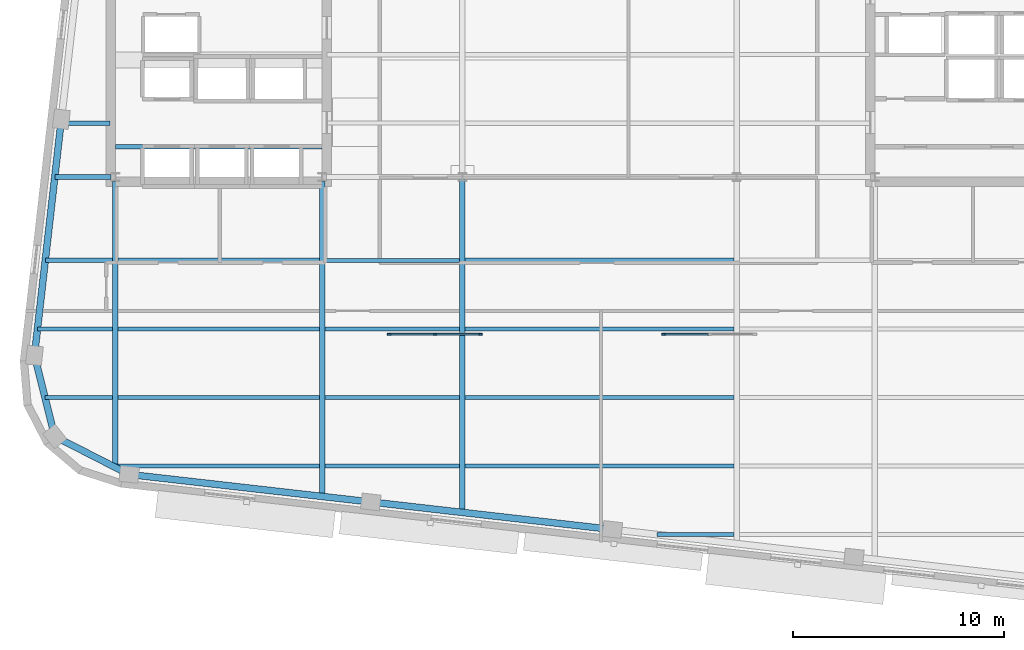
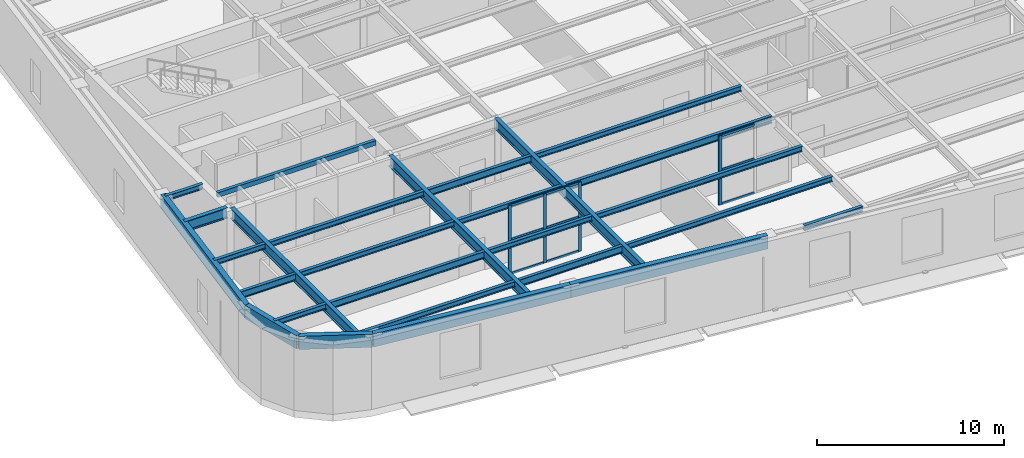
# One storey, part 3 of 15: 27 beams, 13 members, 2 elements without a shape of their own.
"""IFC4 building model written with IfcOpenShell, lengths in metres."""

from ifc_helpers import new_model, si_unit, direction, frame, origin, origin_2d, place, context, subcontext, project, spatial, rectangle, hollow_rectangle, i_section, extrude, material, material_profile, profile_set, type_object, element, aggregate, save


model = new_model("IFC4")

# Units and contexts
model_context = context("Model", 3, precision=1e-05, world=origin(), true_north=direction((0.0, 1.0)))
body_context = subcontext(model_context, "Body", "Model", "MODEL_VIEW")
ifc_project = project(units=[si_unit("LENGTHUNIT", "METRE"), si_unit("AREAUNIT", "SQUARE_METRE"), si_unit("VOLUMEUNIT", "CUBIC_METRE"), si_unit("PLANEANGLEUNIT", "RADIAN"), si_unit("MASSUNIT", "GRAM", prefix="KILO")], contexts=[model_context])

# Site, building, storey
site_placement = place(None, origin())
site = spatial("IfcSite", under=ifc_project, at=site_placement, CompositionType="ELEMENT")
building_placement = place(site_placement, origin())
building = spatial("IfcBuilding", under=site, at=building_placement, Name="Kolvaren Arena Tower", CompositionType="ELEMENT")
storey_placement = place(building_placement, frame((0.0, 0.0, 216.14990234375)))
storey = spatial("IfcBuildingStorey", under=building, at=storey_placement, Name="L52", CompositionType="ELEMENT", Elevation=216.14990234375)

# Beams
ifc_material_1 = material(Name="Steel CSA G40.21 350W", Category="steel")
ifc_material_profile_1 = material_profile(ifc_material_1, i_section(OverallWidth=0.193115234375, OverallDepth=0.462890625, WebThickness=0.0107421875, FlangeThickness=0.0205078125, FilletRadius=0.012939453125, at=origin_2d()), Name="W460x113")
ifc_profile_set_1 = profile_set([ifc_material_profile_1], Name="Steel CSA G40.21 350W")
beam_type_1 = type_object("IfcBeamType", Name="BEAM-F2", PredefinedType="BEAM", material=ifc_profile_set_1)
beam_1_placement = place(storey_placement, frame((24.4775390625, 5.75, 4.298583984375), z_axis=(1.0, 0.0, 0.0), x_axis=(0.0, 1.0, 0.0)))
element("IfcBeam", 1, at=beam_1_placement, inside=storey, type_object=beam_type_1, Name="Composite Floor Beam (L52)", PredefinedType="BEAM", context=body_context, shape_type="SweptSolid", body=[
    extrude(i_section(OverallWidth=0.193115234375, OverallDepth=0.462890625, WebThickness=0.0107421875, FlangeThickness=0.0205078125, FilletRadius=0.012939453125, at=origin_2d()), origin(), (0.0, 0.0, 1.0), 6.39501953125),
])
beam_2_placement = place(storey_placement, frame((14.677490234375, 9.0, 4.298583984375), z_axis=(1.0, 0.0, 0.0), x_axis=(0.0, 1.0, 0.0)))
element("IfcBeam", 2, at=beam_2_placement, inside=storey, type_object=beam_type_1, Name="Composite Floor Beam (L52)", PredefinedType="BEAM", context=body_context, shape_type="SweptSolid", body=[
    extrude(i_section(OverallWidth=0.193115234375, OverallDepth=0.462890625, WebThickness=0.0107421875, FlangeThickness=0.0205078125, FilletRadius=0.012939453125, at=origin_2d()), origin(), (0.0, 0.0, 1.0), 9.544921875),
])
beam_3_placement = place(storey_placement, frame((10.86083984375, 12.25, 4.298583984375), z_axis=(1.0, 0.0, 0.0), x_axis=(0.0, 1.0, 0.0)))
element("IfcBeam", 3, at=beam_3_placement, inside=storey, type_object=beam_type_1, Name="Composite Floor Beam (L52)", PredefinedType="BEAM", context=body_context, shape_type="SweptSolid", body=[
    extrude(i_section(OverallWidth=0.193115234375, OverallDepth=0.462890625, WebThickness=0.0107421875, FlangeThickness=0.0205078125, FilletRadius=0.012939453125, at=origin_2d()), origin(), (0.0, 0.0, 1.0), 3.561767578125),
])
beam_4_placement = place(storey_placement, frame((31.12744140625, 12.25, 4.298583984375), z_axis=(1.0, 0.0, 0.0), x_axis=(0.0, 1.0, 0.0)))
element("IfcBeam", 4, at=beam_4_placement, inside=storey, type_object=beam_type_1, Name="Composite Floor Beam (L52)", PredefinedType="BEAM", context=body_context, shape_type="SweptSolid", body=[
    extrude(i_section(OverallWidth=0.193115234375, OverallDepth=0.462890625, WebThickness=0.0107421875, FlangeThickness=0.0205078125, FilletRadius=0.012939453125, at=origin_2d()), origin(), (0.0, 0.0, 1.0), 12.7451171875),
])
beam_5_placement = place(storey_placement, frame((24.4775390625, 15.5, 4.298583984375), z_axis=(1.0, 0.0, 0.0), x_axis=(0.0, 1.0, 0.0)))
element("IfcBeam", 5, at=beam_5_placement, inside=storey, type_object=beam_type_1, Name="Composite Floor Beam (L52)", PredefinedType="BEAM", context=body_context, shape_type="SweptSolid", body=[
    extrude(i_section(OverallWidth=0.193115234375, OverallDepth=0.462890625, WebThickness=0.0107421875, FlangeThickness=0.0205078125, FilletRadius=0.012939453125, at=origin_2d()), origin(), (0.0, 0.0, 1.0), 6.39501953125),
])

# Curtain wall, members
ifc_material_2 = material(Name="Anodised aluminium unitised curtain wall", Category="aluminium")
curtain_wall_type = type_object("IfcCurtainWallType", Name="CW-SYS-03", PredefinedType="USERDEFINED", material=ifc_material_2)
curtain_wall_1_placement = place(storey_placement, origin())
curtain_wall_1 = element("IfcCurtainWall", 6, at=curtain_wall_1_placement, inside=storey, type_object=curtain_wall_type, Name="Sky Lobby Feature Curtain Wall (L52)", ObjectType="UNITISED CURTAIN WALL", PredefinedType="USERDEFINED")
ifc_material_3 = material(Name="Anodised aluminium 6063-T6", Category="aluminium")
ifc_material_profile_2 = material_profile(ifc_material_3, rectangle(XDim=0.080078125, YDim=0.179931640625, at=origin_2d()), Name="ALU-80x180")
ifc_profile_set_2 = profile_set([ifc_material_profile_2], Name="Anodised aluminium 6063-T6")
member_type_1 = type_object("IfcMemberType", Name="CWM-STD", PredefinedType="MULLION", material=ifc_profile_set_2)
member_1_placement = place(storey_placement, frame((27.5400390625, 12.0, 0.0), z_axis=(0.0, 0.0, 1.0), x_axis=(0.0, 1.0, 0.0)))
member_1 = element("IfcMember", 7, at=member_1_placement, type_object=member_type_1, Name="CW3 mullion 1", PredefinedType="MULLION", context=body_context, shape_type="SweptSolid", body=[
    extrude(rectangle(XDim=0.080078125, YDim=0.179931640625, at=origin_2d()), origin(), (0.0, 0.0, 1.0), 4.530029296875),
])
member_2_placement = place(storey_placement, frame((29.699951171875, 12.0, 0.0), z_axis=(0.0, 0.0, 1.0), x_axis=(0.0, 1.0, 0.0)))
member_2 = element("IfcMember", 8, at=member_2_placement, type_object=member_type_1, Name="CW3 mullion 2", PredefinedType="MULLION", context=body_context, shape_type="SweptSolid", body=[
    extrude(rectangle(XDim=0.080078125, YDim=0.179931640625, at=origin_2d()), origin(), (0.0, 0.0, 1.0), 4.530029296875),
])
member_3_placement = place(storey_placement, frame((31.860107421875, 12.0, 0.0), z_axis=(0.0, 0.0, 1.0), x_axis=(0.0, 1.0, 0.0)))
member_3 = element("IfcMember", 9, at=member_3_placement, type_object=member_type_1, Name="CW3 mullion 3", PredefinedType="MULLION", context=body_context, shape_type="SweptSolid", body=[
    extrude(rectangle(XDim=0.080078125, YDim=0.179931640625, at=origin_2d()), origin(), (0.0, 0.0, 1.0), 4.530029296875),
])

# Curtain wall, member
curtain_wall_2_placement = place(storey_placement, origin())
curtain_wall_2 = element("IfcCurtainWall", 10, at=curtain_wall_2_placement, inside=storey, type_object=curtain_wall_type, Name="Sky Lobby Feature Curtain Wall (L52)", ObjectType="UNITISED CURTAIN WALL", PredefinedType="USERDEFINED")
member_4_placement = place(storey_placement, frame((40.5400390625, 12.0, 0.0), z_axis=(0.0, 0.0, 1.0), x_axis=(0.0, 1.0, 0.0)))
member_4 = element("IfcMember", 11, at=member_4_placement, type_object=member_type_1, Name="CW3 mullion 1", PredefinedType="MULLION", context=body_context, shape_type="SweptSolid", body=[
    extrude(rectangle(XDim=0.080078125, YDim=0.179931640625, at=origin_2d()), origin(), (0.0, 0.0, 1.0), 4.530029296875),
])

# Member
ifc_material_profile_3 = material_profile(ifc_material_3, rectangle(XDim=0.080078125, YDim=0.14990234375, at=origin_2d()), Name="ALU-80x150")
ifc_profile_set_3 = profile_set([ifc_material_profile_3], Name="Anodised aluminium 6063-T6")
member_type_2 = type_object("IfcMemberType", Name="CWT-STD", PredefinedType="USERDEFINED", material=ifc_profile_set_3)
member_5_placement = place(storey_placement, frame((27.580078125, 12.0, 0.0400390625), z_axis=(1.0, 0.0, 0.0), x_axis=(0.0, 1.0, 0.0)))
member_5 = element("IfcMember", 12, at=member_5_placement, type_object=member_type_2, Name="CW3 transom 1.1", ObjectType="TRANSOM", PredefinedType="USERDEFINED", context=body_context, shape_type="SweptSolid", body=[
    extrude(rectangle(XDim=0.080078125, YDim=0.14990234375, at=origin_2d()), origin(), (0.0, 0.0, 1.0), 2.079833984375),
])

member_6_placement = place(storey_placement, frame((27.580078125, 12.0, 2.26513671875), z_axis=(1.0, 0.0, 0.0), x_axis=(0.0, 1.0, 0.0)))
member_6 = element("IfcMember", 13, at=member_6_placement, type_object=member_type_2, Name="CW3 transom 1.2", ObjectType="TRANSOM", PredefinedType="USERDEFINED", context=body_context, shape_type="SweptSolid", body=[
    extrude(rectangle(XDim=0.080078125, YDim=0.14990234375, at=origin_2d()), origin(), (0.0, 0.0, 1.0), 2.079833984375),
])

member_7_placement = place(storey_placement, frame((27.580078125, 12.0, 4.489990234375), z_axis=(1.0, 0.0, 0.0), x_axis=(0.0, 1.0, 0.0)))
member_7 = element("IfcMember", 14, at=member_7_placement, type_object=member_type_2, Name="CW3 transom 1.3", ObjectType="TRANSOM", PredefinedType="USERDEFINED", context=body_context, shape_type="SweptSolid", body=[
    extrude(rectangle(XDim=0.080078125, YDim=0.14990234375, at=origin_2d()), origin(), (0.0, 0.0, 1.0), 2.079833984375),
])

member_8_placement = place(storey_placement, frame((29.739990234375, 12.0, 0.0400390625), z_axis=(1.0, 0.0, 0.0), x_axis=(0.0, 1.0, 0.0)))
member_8 = element("IfcMember", 15, at=member_8_placement, type_object=member_type_2, Name="CW3 transom 2.1", ObjectType="TRANSOM", PredefinedType="USERDEFINED", context=body_context, shape_type="SweptSolid", body=[
    extrude(rectangle(XDim=0.080078125, YDim=0.14990234375, at=origin_2d()), origin(), (0.0, 0.0, 1.0), 2.080078125),
])

member_9_placement = place(storey_placement, frame((29.739990234375, 12.0, 2.26513671875), z_axis=(1.0, 0.0, 0.0), x_axis=(0.0, 1.0, 0.0)))
member_9 = element("IfcMember", 16, at=member_9_placement, type_object=member_type_2, Name="CW3 transom 2.2", ObjectType="TRANSOM", PredefinedType="USERDEFINED", context=body_context, shape_type="SweptSolid", body=[
    extrude(rectangle(XDim=0.080078125, YDim=0.14990234375, at=origin_2d()), origin(), (0.0, 0.0, 1.0), 2.080078125),
])

member_10_placement = place(storey_placement, frame((29.739990234375, 12.0, 4.489990234375), z_axis=(1.0, 0.0, 0.0), x_axis=(0.0, 1.0, 0.0)))
member_10 = element("IfcMember", 17, at=member_10_placement, type_object=member_type_2, Name="CW3 transom 2.3", ObjectType="TRANSOM", PredefinedType="USERDEFINED", context=body_context, shape_type="SweptSolid", body=[
    extrude(rectangle(XDim=0.080078125, YDim=0.14990234375, at=origin_2d()), origin(), (0.0, 0.0, 1.0), 2.080078125),
])

aggregate(curtain_wall_1, [member_1, member_2, member_3, member_5, member_6, member_7, member_8, member_9, member_10])

member_11_placement = place(storey_placement, frame((40.580078125, 12.0, 0.0400390625), z_axis=(1.0, 0.0, 0.0), x_axis=(0.0, 1.0, 0.0)))
member_11 = element("IfcMember", 18, at=member_11_placement, type_object=member_type_2, Name="CW3 transom 1.1", ObjectType="TRANSOM", PredefinedType="USERDEFINED", context=body_context, shape_type="SweptSolid", body=[
    extrude(rectangle(XDim=0.080078125, YDim=0.14990234375, at=origin_2d()), origin(), (0.0, 0.0, 1.0), 2.079833984375),
])

member_12_placement = place(storey_placement, frame((40.580078125, 12.0, 2.26513671875), z_axis=(1.0, 0.0, 0.0), x_axis=(0.0, 1.0, 0.0)))
member_12 = element("IfcMember", 19, at=member_12_placement, type_object=member_type_2, Name="CW3 transom 1.2", ObjectType="TRANSOM", PredefinedType="USERDEFINED", context=body_context, shape_type="SweptSolid", body=[
    extrude(rectangle(XDim=0.080078125, YDim=0.14990234375, at=origin_2d()), origin(), (0.0, 0.0, 1.0), 2.079833984375),
])

member_13_placement = place(storey_placement, frame((40.580078125, 12.0, 4.489990234375), z_axis=(1.0, 0.0, 0.0), x_axis=(0.0, 1.0, 0.0)))
member_13 = element("IfcMember", 20, at=member_13_placement, type_object=member_type_2, Name="CW3 transom 1.3", ObjectType="TRANSOM", PredefinedType="USERDEFINED", context=body_context, shape_type="SweptSolid", body=[
    extrude(rectangle(XDim=0.080078125, YDim=0.14990234375, at=origin_2d()), origin(), (0.0, 0.0, 1.0), 2.079833984375),
])

aggregate(curtain_wall_2, [member_4, member_11, member_12, member_13])

# Beams
ifc_material_profile_4 = material_profile(ifc_material_1, i_section(OverallWidth=0.2548828125, OverallDepth=0.695068359375, WebThickness=0.01708984375, FlangeThickness=0.02978515625, FilletRadius=0.01611328125, at=origin_2d()), Name="W690x217")
ifc_profile_set_4 = profile_set([ifc_material_profile_4], Name="Steel CSA G40.21 350W")
beam_type_2 = type_object("IfcBeamType", Name="GIRD-T2", PredefinedType="BEAM", material=ifc_profile_set_4)
beam_6_placement = place(storey_placement, frame((11.68115234375, 19.449951171875, 4.1826171875), z_axis=(1.0, 0.0, 0.0), x_axis=(0.0, 1.0, 0.0)))
element("IfcBeam", 21, at=beam_6_placement, inside=storey, type_object=beam_type_2, Name="Primary Floor Girder (L52)", PredefinedType="BEAM", context=body_context, shape_type="SweptSolid", body=[
    extrude(i_section(OverallWidth=0.2548828125, OverallDepth=0.695068359375, WebThickness=0.01708984375, FlangeThickness=0.02978515625, FilletRadius=0.01611328125, at=origin_2d()), origin(), (0.0, 0.0, 1.0), 2.663818359375),
])
beam_7_placement = place(storey_placement, frame((14.550048828125, 5.686767578125, 4.1826171875), z_axis=(0.0, 1.0, 0.0), x_axis=(-1.0, 0.0, 0.0)))
element("IfcBeam", 22, at=beam_7_placement, inside=storey, type_object=beam_type_2, Name="Primary Floor Girder (L52)", PredefinedType="BEAM", context=body_context, shape_type="SweptSolid", body=[
    extrude(i_section(OverallWidth=0.2548828125, OverallDepth=0.695068359375, WebThickness=0.01708984375, FlangeThickness=0.02978515625, FilletRadius=0.01611328125, at=origin_2d()), origin(), (0.0, 0.0, 1.0), 13.558349609375),
])
beam_8_placement = place(storey_placement, frame((24.35009765625, 4.30908203125, 4.1826171875), z_axis=(0.0, 1.0, 0.0), x_axis=(-1.0, 0.0, 0.0)))
element("IfcBeam", 23, at=beam_8_placement, inside=storey, type_object=beam_type_2, Name="Primary Floor Girder (L52)", PredefinedType="BEAM", context=body_context, shape_type="SweptSolid", body=[
    extrude(i_section(OverallWidth=0.2548828125, OverallDepth=0.695068359375, WebThickness=0.01708984375, FlangeThickness=0.02978515625, FilletRadius=0.01611328125, at=origin_2d()), origin(), (0.0, 0.0, 1.0), 14.93603515625),
])
beam_9_placement = place(storey_placement, frame((31.0, 3.551513671875, 4.1826171875), z_axis=(0.0, 1.0, 0.0), x_axis=(-1.0, 0.0, 0.0)))
element("IfcBeam", 24, at=beam_9_placement, inside=storey, type_object=beam_type_2, Name="Primary Floor Girder (L52)", PredefinedType="BEAM", context=body_context, shape_type="SweptSolid", body=[
    extrude(i_section(OverallWidth=0.2548828125, OverallDepth=0.695068359375, WebThickness=0.01708984375, FlangeThickness=0.02978515625, FilletRadius=0.01611328125, at=origin_2d()), origin(), (0.0, 0.0, 1.0), 15.8984375),
])
ifc_material_profile_5 = material_profile(ifc_material_1, i_section(OverallWidth=0.202880859375, OverallDepth=0.346923828125, WebThickness=0.0078125, FlangeThickness=0.013427734375, FilletRadius=0.010986328125, at=origin_2d()), Name="W360x64")
ifc_profile_set_5 = profile_set([ifc_material_profile_5], Name="Steel CSA G40.21 350W")
beam_type_3 = type_object("IfcBeamType", Name="JOIST-01", PredefinedType="JOIST", material=ifc_profile_set_5)
beam_10_placement = place(storey_placement, frame((40.228271484375, 2.5, 4.356689453125), z_axis=(1.0, 0.0, 0.0), x_axis=(0.0, 1.0, 0.0)))
element("IfcBeam", 25, at=beam_10_placement, inside=storey, type_object=beam_type_3, Name="Composite Floor Joist (L52)", PredefinedType="JOIST", context=body_context, shape_type="SweptSolid", body=[
    extrude(i_section(OverallWidth=0.202880859375, OverallDepth=0.346923828125, WebThickness=0.0078125, FlangeThickness=0.013427734375, FilletRadius=0.010986328125, at=origin_2d()), origin(), (0.0, 0.0, 1.0), 3.644287109375),
])
beam_11_placement = place(storey_placement, frame((14.42626953125, 5.75, 4.356689453125), z_axis=(1.0, 0.0, 0.0), x_axis=(0.0, 1.0, 0.0)))
element("IfcBeam", 26, at=beam_11_placement, inside=storey, type_object=beam_type_3, Name="Composite Floor Joist (L52)", PredefinedType="JOIST", context=body_context, shape_type="SweptSolid", body=[
    extrude(i_section(OverallWidth=0.202880859375, OverallDepth=0.346923828125, WebThickness=0.0078125, FlangeThickness=0.013427734375, FilletRadius=0.010986328125, at=origin_2d()), origin(), (0.0, 0.0, 1.0), 9.796142578125),
])
beam_12_placement = place(storey_placement, frame((31.12744140625, 5.75, 4.356689453125), z_axis=(1.0, 0.0, 0.0), x_axis=(0.0, 1.0, 0.0)))
element("IfcBeam", 27, at=beam_12_placement, inside=storey, type_object=beam_type_3, Name="Composite Floor Joist (L52)", PredefinedType="JOIST", context=body_context, shape_type="SweptSolid", body=[
    extrude(i_section(OverallWidth=0.202880859375, OverallDepth=0.346923828125, WebThickness=0.0078125, FlangeThickness=0.013427734375, FilletRadius=0.010986328125, at=origin_2d()), origin(), (0.0, 0.0, 1.0), 12.7451171875),
])
beam_13_placement = place(storey_placement, frame((11.217529296875, 9.0, 4.356689453125), z_axis=(1.0, 0.0, 0.0), x_axis=(0.0, 1.0, 0.0)))
element("IfcBeam", 28, at=beam_13_placement, inside=storey, type_object=beam_type_3, Name="Composite Floor Joist (L52)", PredefinedType="JOIST", context=body_context, shape_type="SweptSolid", body=[
    extrude(i_section(OverallWidth=0.202880859375, OverallDepth=0.346923828125, WebThickness=0.0078125, FlangeThickness=0.013427734375, FilletRadius=0.010986328125, at=origin_2d()), origin(), (0.0, 0.0, 1.0), 3.205078125),
])
beam_14_placement = place(storey_placement, frame((24.4775390625, 9.0, 4.356689453125), z_axis=(1.0, 0.0, 0.0), x_axis=(0.0, 1.0, 0.0)))
element("IfcBeam", 29, at=beam_14_placement, inside=storey, type_object=beam_type_3, Name="Composite Floor Joist (L52)", PredefinedType="JOIST", context=body_context, shape_type="SweptSolid", body=[
    extrude(i_section(OverallWidth=0.202880859375, OverallDepth=0.346923828125, WebThickness=0.0078125, FlangeThickness=0.013427734375, FilletRadius=0.010986328125, at=origin_2d()), origin(), (0.0, 0.0, 1.0), 6.39501953125),
])
beam_15_placement = place(storey_placement, frame((31.12744140625, 9.0, 4.356689453125), z_axis=(1.0, 0.0, 0.0), x_axis=(0.0, 1.0, 0.0)))
element("IfcBeam", 30, at=beam_15_placement, inside=storey, type_object=beam_type_3, Name="Composite Floor Joist (L52)", PredefinedType="JOIST", context=body_context, shape_type="SweptSolid", body=[
    extrude(i_section(OverallWidth=0.202880859375, OverallDepth=0.346923828125, WebThickness=0.0078125, FlangeThickness=0.013427734375, FilletRadius=0.010986328125, at=origin_2d()), origin(), (0.0, 0.0, 1.0), 12.7451171875),
])
beam_16_placement = place(storey_placement, frame((14.677490234375, 12.25, 4.356689453125), z_axis=(1.0, 0.0, 0.0), x_axis=(0.0, 1.0, 0.0)))
element("IfcBeam", 31, at=beam_16_placement, inside=storey, type_object=beam_type_3, Name="Composite Floor Joist (L52)", PredefinedType="JOIST", context=body_context, shape_type="SweptSolid", body=[
    extrude(i_section(OverallWidth=0.202880859375, OverallDepth=0.346923828125, WebThickness=0.0078125, FlangeThickness=0.013427734375, FilletRadius=0.010986328125, at=origin_2d()), origin(), (0.0, 0.0, 1.0), 9.544921875),
])
beam_17_placement = place(storey_placement, frame((24.4775390625, 12.25, 4.356689453125), z_axis=(1.0, 0.0, 0.0), x_axis=(0.0, 1.0, 0.0)))
element("IfcBeam", 32, at=beam_17_placement, inside=storey, type_object=beam_type_3, Name="Composite Floor Joist (L52)", PredefinedType="JOIST", context=body_context, shape_type="SweptSolid", body=[
    extrude(i_section(OverallWidth=0.202880859375, OverallDepth=0.346923828125, WebThickness=0.0078125, FlangeThickness=0.013427734375, FilletRadius=0.010986328125, at=origin_2d()), origin(), (0.0, 0.0, 1.0), 6.39501953125),
])
beam_18_placement = place(storey_placement, frame((11.23095703125, 15.5, 4.356689453125), z_axis=(1.0, 0.0, 0.0), x_axis=(0.0, 1.0, 0.0)))
element("IfcBeam", 33, at=beam_18_placement, inside=storey, type_object=beam_type_3, Name="Composite Floor Joist (L52)", PredefinedType="JOIST", context=body_context, shape_type="SweptSolid", body=[
    extrude(i_section(OverallWidth=0.202880859375, OverallDepth=0.346923828125, WebThickness=0.0078125, FlangeThickness=0.013427734375, FilletRadius=0.010986328125, at=origin_2d()), origin(), (0.0, 0.0, 1.0), 3.191650390625),
])
beam_19_placement = place(storey_placement, frame((14.677490234375, 15.5, 4.356689453125), z_axis=(1.0, 0.0, 0.0), x_axis=(0.0, 1.0, 0.0)))
element("IfcBeam", 34, at=beam_19_placement, inside=storey, type_object=beam_type_3, Name="Composite Floor Joist (L52)", PredefinedType="JOIST", context=body_context, shape_type="SweptSolid", body=[
    extrude(i_section(OverallWidth=0.202880859375, OverallDepth=0.346923828125, WebThickness=0.0078125, FlangeThickness=0.013427734375, FilletRadius=0.010986328125, at=origin_2d()), origin(), (0.0, 0.0, 1.0), 9.544921875),
])
beam_20_placement = place(storey_placement, frame((31.12744140625, 15.5, 4.356689453125), z_axis=(1.0, 0.0, 0.0), x_axis=(0.0, 1.0, 0.0)))
element("IfcBeam", 35, at=beam_20_placement, inside=storey, type_object=beam_type_3, Name="Composite Floor Joist (L52)", PredefinedType="JOIST", context=body_context, shape_type="SweptSolid", body=[
    extrude(i_section(OverallWidth=0.202880859375, OverallDepth=0.346923828125, WebThickness=0.0078125, FlangeThickness=0.013427734375, FilletRadius=0.010986328125, at=origin_2d()), origin(), (0.0, 0.0, 1.0), 12.7451171875),
])
beam_21_placement = place(storey_placement, frame((11.9716796875, 22.0, 4.356689453125), z_axis=(1.0, 0.0, 0.0), x_axis=(0.0, 1.0, 0.0)))
element("IfcBeam", 36, at=beam_21_placement, inside=storey, type_object=beam_type_3, Name="Composite Floor Joist (L52)", PredefinedType="JOIST", context=body_context, shape_type="SweptSolid", body=[
    extrude(i_section(OverallWidth=0.202880859375, OverallDepth=0.346923828125, WebThickness=0.0078125, FlangeThickness=0.013427734375, FilletRadius=0.010986328125, at=origin_2d()), origin(), (0.0, 0.0, 1.0), 2.333251953125),
])
ifc_material_profile_6 = material_profile(ifc_material_1, hollow_rectangle(XDim=0.199951171875, YDim=0.300048828125, WallThickness=0.011962890625, at=origin_2d()), Name="HSS 300x200x12")
ifc_profile_set_6 = profile_set([ifc_material_profile_6], Name="Steel CSA G40.21 350W")
beam_type_4 = type_object("IfcBeamType", Name="LINT-01", PredefinedType="LINTEL", material=ifc_profile_set_6)
beam_22_placement = place(storey_placement, frame((14.550048828125, 20.8798828125, 4.380126953125), z_axis=(1.0, 0.0, 0.0), x_axis=(0.0, 1.0, 0.0)))
element("IfcBeam", 37, at=beam_22_placement, inside=storey, type_object=beam_type_4, Name="West Lift Lobby Portal Lintel (L52)", PredefinedType="LINTEL", context=body_context, shape_type="SweptSolid", body=[
    extrude(hollow_rectangle(XDim=0.199951171875, YDim=0.300048828125, WallThickness=0.011962890625, at=origin_2d()), origin(), (0.0, 0.0, 1.0), 9.800048828125),
])
ifc_material_4 = material(Name="Steel CSA G40.21 350WT", Category="steel")
ifc_material_profile_7 = material_profile(ifc_material_4, hollow_rectangle(XDim=0.320068359375, YDim=0.860107421875, WallThickness=0.01806640625, at=origin_2d()), Name="HSS 860x320x18")
ifc_profile_set_7 = profile_set([ifc_material_profile_7], Name="Steel CSA G40.21 350WT")
beam_type_5 = type_object("IfcBeamType", Name="SPAND-02", PredefinedType="SPANDREL", material=ifc_profile_set_7)
for number, where, z_axis, x_axis, name in (
    (38, (15.207763671875, 5.350830078125, 4.10009765625), (0.99357166944, -0.113204848336, 0.0), (0.113204848336, 0.99357166944, 0.0), "Perimeter Spandrel Beam (L52)"),
    (39, (26.65869140625, 4.046142578125, 4.10009765625), (0.99357166944, -0.113204848336, 0.0), (0.113204848336, 0.99357166944, 0.0), "Perimeter Spandrel Beam (L52)"),
):
    element("IfcBeam", number, at=place(storey_placement, frame(where, z_axis=z_axis, x_axis=x_axis)), inside=storey, type_object=beam_type_5, Name=name, PredefinedType="SPANDREL", context=body_context, shape_type="SweptSolid", body=[
        extrude(hollow_rectangle(XDim=0.320068359375, YDim=0.860107421875, WallThickness=0.01806640625, at=origin_2d()), origin(), (0.0, 0.0, 1.0), 11.52490234375),
    ])
beam_23_placement = place(storey_placement, frame((11.9931640625, 22.189453125, 4.10009765625), z_axis=(-0.113201896536, -0.993572005755, 0.0), x_axis=(0.993572005755, -0.113201896536, 0.0)))
element("IfcBeam", 40, at=beam_23_placement, inside=storey, type_object=beam_type_5, Name="Perimeter Spandrel Beam (L52)", PredefinedType="SPANDREL", context=body_context, shape_type="SweptSolid", body=[
    extrude(hollow_rectangle(XDim=0.320068359375, YDim=0.860107421875, WallThickness=0.01806640625, at=origin_2d()), origin(), (0.0, 0.0, 1.0), 11.2666015625),
])
beam_24_placement = place(storey_placement, frame((10.7177734375, 10.995361328125, 4.10009765625), z_axis=(0.243014148252, -0.970022743934, 0.0), x_axis=(0.970022743934, 0.243014148252, 0.0)))
element("IfcBeam", 41, at=beam_24_placement, inside=storey, type_object=beam_type_5, Name="Perimeter Spandrel Beam (L52)", PredefinedType="SPANDREL", context=body_context, shape_type="SweptSolid", body=[
    extrude(hollow_rectangle(XDim=0.320068359375, YDim=0.860107421875, WallThickness=0.01806640625, at=origin_2d()), origin(), (0.0, 0.0, 1.0), 3.961181640625),
])
beam_25_placement = place(storey_placement, frame((11.680419921875, 7.15283203125, 4.10009765625), z_axis=(0.890522920884, -0.454938377564, 0.0), x_axis=(0.454938377564, 0.890522920884, 0.0)))
element("IfcBeam", 42, at=beam_25_placement, inside=storey, type_object=beam_type_5, Name="Perimeter Spandrel Beam (L52)", PredefinedType="SPANDREL", context=body_context, shape_type="SweptSolid", body=[
    extrude(hollow_rectangle(XDim=0.320068359375, YDim=0.860107421875, WallThickness=0.01806640625, at=origin_2d()), origin(), (0.0, 0.0, 1.0), 3.9609375),
])

save(model, "model.ifc")
